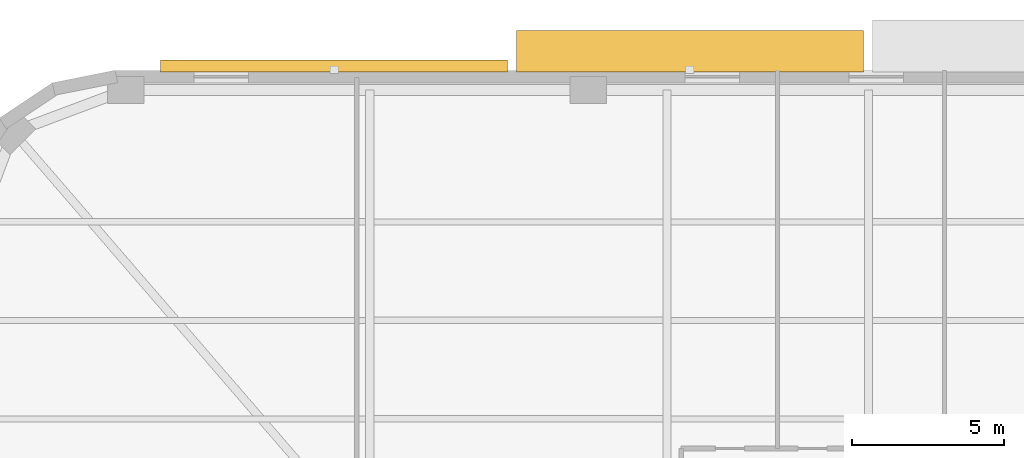
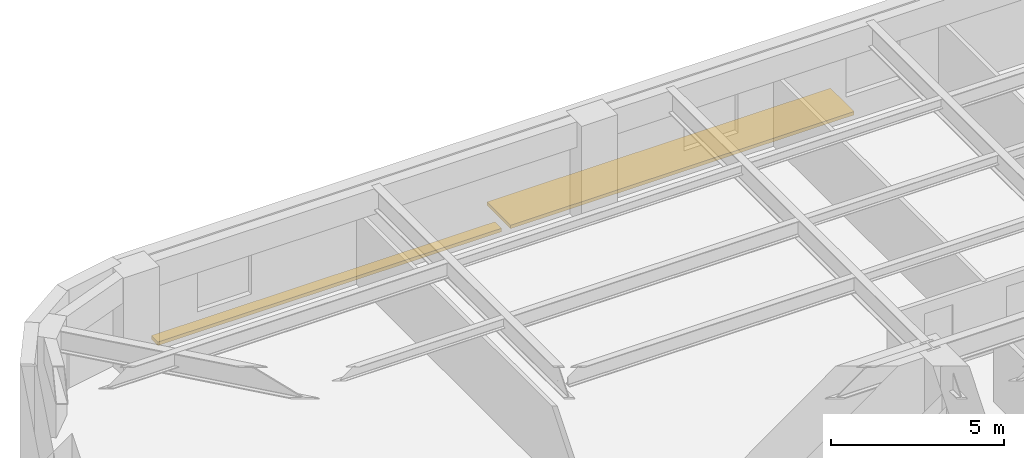
# One storey, part 12 of 14: 2 shading devices.
"""IFC4 building model written with IfcOpenShell, lengths in metres."""

from ifc_helpers import new_model, si_unit, direction, frame, origin, origin_2d, place, context, subcontext, project, spatial, rectangle, extrude, material, type_object, element, save


model = new_model("IFC4")

# Units and contexts
model_context = context("Model", 3, precision=1e-05, world=origin(), true_north=direction((0.0, 1.0)))
body_context = subcontext(model_context, "Body", "Model", "MODEL_VIEW")
ifc_project = project(units=[si_unit("LENGTHUNIT", "METRE"), si_unit("AREAUNIT", "SQUARE_METRE"), si_unit("VOLUMEUNIT", "CUBIC_METRE"), si_unit("PLANEANGLEUNIT", "RADIAN"), si_unit("MASSUNIT", "GRAM", prefix="KILO")], contexts=[model_context])

# Site, building, storey
site_placement = place(None, origin())
site = spatial("IfcSite", under=ifc_project, at=site_placement, CompositionType="ELEMENT")
building_placement = place(site_placement, origin())
building = spatial("IfcBuilding", under=site, at=building_placement, Name="Kolvaren Arena Tower", CompositionType="ELEMENT")
storey_placement = place(building_placement, frame((0.0, 0.0, 53.25)))
storey = spatial("IfcBuildingStorey", under=building, at=storey_placement, Name="L10", CompositionType="ELEMENT", Elevation=53.25)

# Shading devices
ifc_material = material(Name="Architectural precast GFRC and anodised aluminium sunshade", Category="concrete")
shading_device_type_1 = type_object("IfcShadingDeviceType", Name="SHAD-SINE-A", PredefinedType="USERDEFINED", material=ifc_material)
shading_device_1_placement = place(storey_placement, frame((13.3701171875, 49.641845703125, -0.14013671875), z_axis=(0.0, 0.0, 1.0), x_axis=(1.0, 0.0, 0.0)))
element("IfcShadingDevice", 1, at=shading_device_1_placement, inside=storey, type_object=shading_device_type_1, Name="Sinusoidal Slab-Edge Sunshade Louvre (L10)", ObjectType="LOUVRE", PredefinedType="USERDEFINED", context=body_context, shape_type="SweptSolid", body=[
    extrude(rectangle(XDim=11.43994140625, YDim=0.3837890625, at=origin_2d()), origin(), (0.0, 0.0, 1.0), 0.1201171875),
])
shading_device_type_2 = type_object("IfcShadingDeviceType", Name="SHAD-SINE-B", PredefinedType="JALOUSIE", material=ifc_material)
shading_device_2_placement = place(storey_placement, frame((25.110107421875, 50.131591796875, -0.14013671875), z_axis=(0.0, 0.0, 1.0), x_axis=(1.0, 0.0, 0.0)))
element("IfcShadingDevice", 2, at=shading_device_2_placement, inside=storey, type_object=shading_device_type_2, Name="Sinusoidal Slab-Edge Sunshade Louvre (L10)", PredefinedType="JALOUSIE", context=body_context, shape_type="SweptSolid", body=[
    extrude(rectangle(XDim=11.43994140625, YDim=1.36279296875, at=origin_2d()), origin(), (0.0, 0.0, 1.0), 0.1201171875),
])

save(model, "model.ifc")
